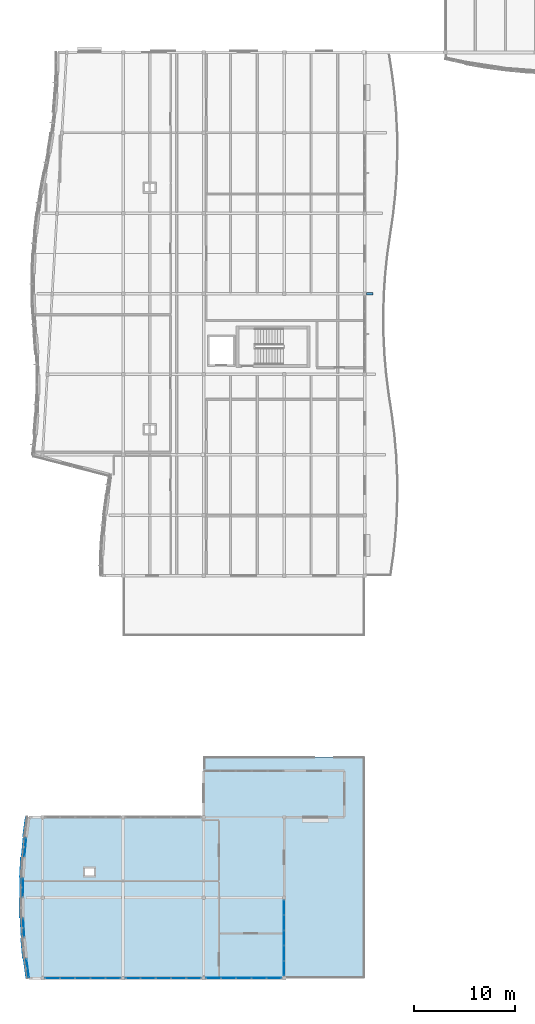
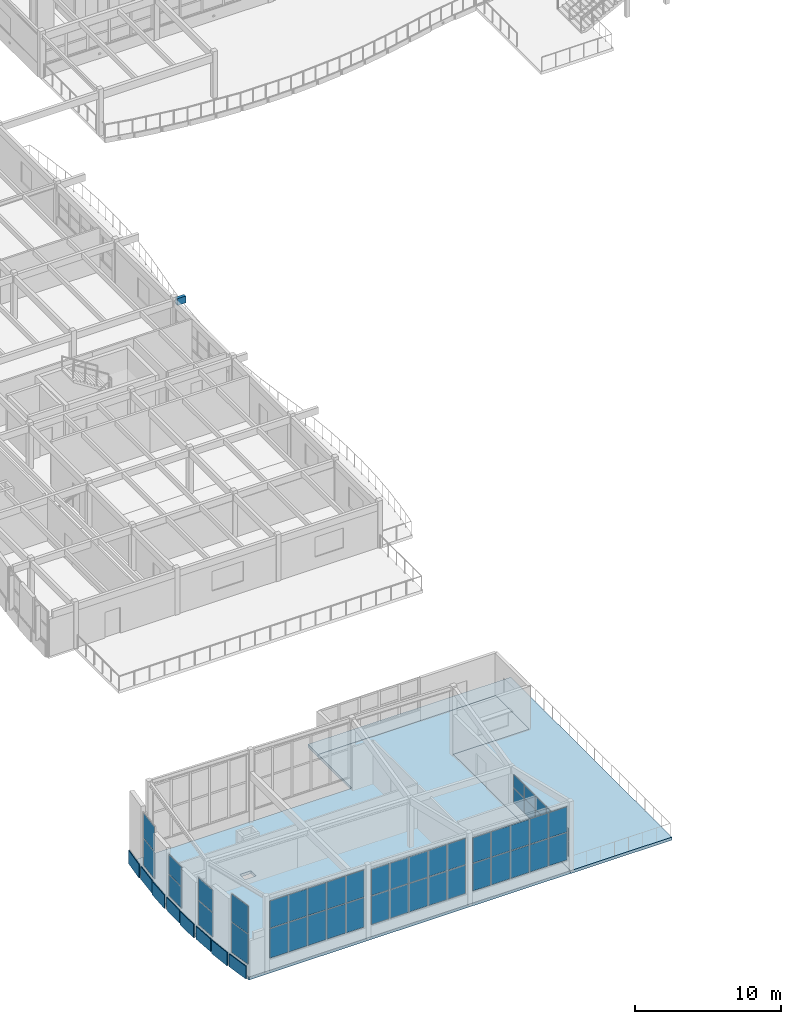
# One storey, part 28 of 63: 56 plates, 2 slabs, 1 beam, 8 elements without a shape of their own.
"""IFC4 building model written with IfcOpenShell, lengths in metres."""

from ifc_helpers import new_model, si_unit, direction, frame, origin, origin_2d, place, context, subcontext, project, spatial, polyline, rectangle, outline, extrude, material, layer, layer_set, material_profile, profile_set, type_object, element, aggregate, save


model = new_model("IFC4")

# Units and contexts
model_context = context("Model", 3, precision=1e-05, world=origin(), true_north=direction((0.0, 1.0)))
body_context = subcontext(model_context, "Body", "Model", "MODEL_VIEW")
ifc_project = project(units=[si_unit("LENGTHUNIT", "METRE"), si_unit("AREAUNIT", "SQUARE_METRE"), si_unit("VOLUMEUNIT", "CUBIC_METRE"), si_unit("PLANEANGLEUNIT", "RADIAN"), si_unit("MASSUNIT", "GRAM", prefix="KILO")], contexts=[model_context])

# Site, building, storey
site_placement = place(None, origin())
site = spatial("IfcSite", under=ifc_project, at=site_placement, CompositionType="ELEMENT")
building_placement = place(site_placement, origin())
building = spatial("IfcBuilding", under=site, at=building_placement, Name="Tonlespit Floodbar School", CompositionType="ELEMENT")
storey_placement = place(building_placement, frame((0.0, 0.0, 8.39990234375)))
storey = spatial("IfcBuildingStorey", under=building, at=storey_placement, Name="L02", CompositionType="ELEMENT", Elevation=8.39990234375)

# Beam
ifc_material_1 = material(Name="Glulam GL28h", Category="wood")
ifc_material_profile = material_profile(ifc_material_1, rectangle(XDim=0.239990234375, YDim=0.56005859375, at=origin_2d()), Name="GL 240x560")
ifc_profile_set = profile_set([ifc_material_profile], Name="Glulam GL28h")
beam_type = type_object("IfcBeamType", Name="Beam_GL_240x560", PredefinedType="BEAM", material=ifc_profile_set)
beam_placement = place(storey_placement, frame((36.179931640625, 72.0, 3.3759765625), z_axis=(1.0, 0.0, 0.0), x_axis=(0.0, 1.0, 0.0)))
element("IfcBeam", 1, at=beam_placement, inside=storey, type_object=beam_type, Name="L02 V2 court gallery cantilever rib", PredefinedType="BEAM", context=body_context, shape_type="SweptSolid", body=[
    extrude(rectangle(XDim=0.239990234375, YDim=0.56005859375, at=origin_2d()), origin(), (0.0, 0.0, 1.0), 0.6806640625),
])

# Curtain wall, plates
ifc_material_2 = material(Name="Anodised Aluminium", Category="aluminium")
ifc_layer_1 = layer(ifc_material_2, 0.159912109375)
ifc_layer_set_1 = layer_set([ifc_layer_1], Name="Anodised Aluminium")
curtain_wall_type_1 = type_object("IfcCurtainWallType", Name="CurtainWall_1900x4050", PredefinedType="NOTDEFINED", material=ifc_layer_set_1)
curtain_wall_1_placement = place(storey_placement, origin())
curtain_wall_1 = element("IfcCurtainWall", 2, at=curtain_wall_1_placement, inside=storey, type_object=curtain_wall_type_1, Name="L02 unitised curtain wall 0529", PredefinedType="NOTDEFINED")
ifc_material_3 = material(Name="Laminated Low-E Glass", Category="glass")
ifc_layer_2 = layer(ifc_material_3, 0.028076171875)
ifc_layer_set_2 = layer_set([ifc_layer_2], Name="Laminated Low-E Glass")
plate_type_1 = type_object("IfcPlateType", Name="CW_Panel_Glaz_28", PredefinedType="CURTAIN_PANEL", material=ifc_layer_set_2)
plate_1_placement = place(storey_placement, frame((2.127197265625, 9.0, 1.01513671875), z_axis=(0.0, 0.0, 1.0), x_axis=(-0.057710137129, 0.998333381227, 0.0)))
plate_1 = element("IfcPlate", 3, at=plate_1_placement, type_object=plate_type_1, Name="CW-86 panel 1.1", PredefinedType="CURTAIN_PANEL", context=body_context, shape_type="SweptSolid", body=[
    extrude(rectangle(XDim=1.79345703125, YDim=0.028076171875, at=origin_2d()), origin(), (0.0, 0.0, 1.0), 2.000732421875),
])
plate_2_placement = place(storey_placement, frame((2.127197265625, 9.0, 3.080810546875), z_axis=(0.0, 0.0, 1.0), x_axis=(-0.057710137129, 0.998333381227, 0.0)))
plate_2 = element("IfcPlate", 4, at=plate_2_placement, type_object=plate_type_1, Name="CW-86 panel 1.2", PredefinedType="CURTAIN_PANEL", context=body_context, shape_type="SweptSolid", body=[
    extrude(rectangle(XDim=1.79345703125, YDim=0.028076171875, at=origin_2d()), origin(), (0.0, 0.0, 1.0), 1.83935546875),
])
aggregate(curtain_wall_1, [plate_1, plate_2])

ifc_layer_3 = layer(ifc_material_2, 0.159912109375)
ifc_layer_set_3 = layer_set([ifc_layer_3], Name="Anodised Aluminium")
curtain_wall_type_2 = type_object("IfcCurtainWallType", Name="CurtainWall_7550x4700", PredefinedType="NOTDEFINED", material=ifc_layer_set_3)
curtain_wall_2_placement = place(storey_placement, origin())
curtain_wall_2 = element("IfcCurtainWall", 5, at=curtain_wall_2_placement, inside=storey, type_object=curtain_wall_type_2, Name="L02 unitised curtain wall 0533", PredefinedType="NOTDEFINED")
plate_3_placement = place(storey_placement, frame((19.0078125, 4.0, 1.01513671875), z_axis=(0.0, 0.0, 1.0), x_axis=(-1.0, 0.0, 0.0)))
plate_3 = element("IfcPlate", 6, at=plate_3_placement, type_object=plate_type_1, Name="CW-89 panel 1.1", PredefinedType="CURTAIN_PANEL", context=body_context, shape_type="SweptSolid", body=[
    extrude(rectangle(XDim=1.41455078125, YDim=0.028076171875, at=origin_2d()), origin(), (0.0, 0.0, 1.0), 2.357421875),
])
plate_4_placement = place(storey_placement, frame((19.0078125, 4.0, 3.4375), z_axis=(0.0, 0.0, 1.0), x_axis=(-1.0, 0.0, 0.0)))
plate_4 = element("IfcPlate", 7, at=plate_4_placement, type_object=plate_type_1, Name="CW-89 panel 1.2", PredefinedType="CURTAIN_PANEL", context=body_context, shape_type="SweptSolid", body=[
    extrude(rectangle(XDim=1.41455078125, YDim=0.028076171875, at=origin_2d()), origin(), (0.0, 0.0, 1.0), 2.16845703125),
])
plate_5_placement = place(storey_placement, frame((17.511962890625, 4.0, 1.01513671875), z_axis=(0.0, 0.0, 1.0), x_axis=(-1.0, 0.0, 0.0)))
plate_5 = element("IfcPlate", 8, at=plate_5_placement, type_object=plate_type_1, Name="CW-89 panel 2.1", PredefinedType="CURTAIN_PANEL", context=body_context, shape_type="SweptSolid", body=[
    extrude(rectangle(XDim=1.447021484375, YDim=0.028076171875, at=origin_2d()), origin(), (0.0, 0.0, 1.0), 2.357421875),
])
plate_6_placement = place(storey_placement, frame((17.511962890625, 4.0, 3.4375), z_axis=(0.0, 0.0, 1.0), x_axis=(-1.0, 0.0, 0.0)))
plate_6 = element("IfcPlate", 9, at=plate_6_placement, type_object=plate_type_1, Name="CW-89 panel 2.2", PredefinedType="CURTAIN_PANEL", context=body_context, shape_type="SweptSolid", body=[
    extrude(rectangle(XDim=1.447021484375, YDim=0.028076171875, at=origin_2d()), origin(), (0.0, 0.0, 1.0), 2.16845703125),
])
plate_7_placement = place(storey_placement, frame((16.0, 4.0, 1.01513671875), z_axis=(0.0, 0.0, 1.0), x_axis=(-1.0, 0.0, 0.0)))
plate_7 = element("IfcPlate", 10, at=plate_7_placement, type_object=plate_type_1, Name="CW-89 panel 3.1", PredefinedType="CURTAIN_PANEL", context=body_context, shape_type="SweptSolid", body=[
    extrude(rectangle(XDim=1.447021484375, YDim=0.028076171875, at=origin_2d()), origin(), (0.0, 0.0, 1.0), 2.357421875),
])
plate_8_placement = place(storey_placement, frame((16.0, 4.0, 3.4375), z_axis=(0.0, 0.0, 1.0), x_axis=(-1.0, 0.0, 0.0)))
plate_8 = element("IfcPlate", 11, at=plate_8_placement, type_object=plate_type_1, Name="CW-89 panel 3.2", PredefinedType="CURTAIN_PANEL", context=body_context, shape_type="SweptSolid", body=[
    extrude(rectangle(XDim=1.447021484375, YDim=0.028076171875, at=origin_2d()), origin(), (0.0, 0.0, 1.0), 2.16845703125),
])
plate_9_placement = place(storey_placement, frame((14.488037109375, 4.0, 1.01513671875), z_axis=(0.0, 0.0, 1.0), x_axis=(-1.0, 0.0, 0.0)))
plate_9 = element("IfcPlate", 12, at=plate_9_placement, type_object=plate_type_1, Name="CW-89 panel 4.1", PredefinedType="CURTAIN_PANEL", context=body_context, shape_type="SweptSolid", body=[
    extrude(rectangle(XDim=1.447021484375, YDim=0.028076171875, at=origin_2d()), origin(), (0.0, 0.0, 1.0), 2.357421875),
])
plate_10_placement = place(storey_placement, frame((14.488037109375, 4.0, 3.4375), z_axis=(0.0, 0.0, 1.0), x_axis=(-1.0, 0.0, 0.0)))
plate_10 = element("IfcPlate", 13, at=plate_10_placement, type_object=plate_type_1, Name="CW-89 panel 4.2", PredefinedType="CURTAIN_PANEL", context=body_context, shape_type="SweptSolid", body=[
    extrude(rectangle(XDim=1.447021484375, YDim=0.028076171875, at=origin_2d()), origin(), (0.0, 0.0, 1.0), 2.16845703125),
])
plate_11_placement = place(storey_placement, frame((12.9921875, 4.0, 1.01513671875), z_axis=(0.0, 0.0, 1.0), x_axis=(-1.0, 0.0, 0.0)))
plate_11 = element("IfcPlate", 14, at=plate_11_placement, type_object=plate_type_1, Name="CW-89 panel 5.1", PredefinedType="CURTAIN_PANEL", context=body_context, shape_type="SweptSolid", body=[
    extrude(rectangle(XDim=1.41455078125, YDim=0.028076171875, at=origin_2d()), origin(), (0.0, 0.0, 1.0), 2.357421875),
])
plate_12_placement = place(storey_placement, frame((12.9921875, 4.0, 3.4375), z_axis=(0.0, 0.0, 1.0), x_axis=(-1.0, 0.0, 0.0)))
plate_12 = element("IfcPlate", 15, at=plate_12_placement, type_object=plate_type_1, Name="CW-89 panel 5.2", PredefinedType="CURTAIN_PANEL", context=body_context, shape_type="SweptSolid", body=[
    extrude(rectangle(XDim=1.41455078125, YDim=0.028076171875, at=origin_2d()), origin(), (0.0, 0.0, 1.0), 2.16845703125),
])
aggregate(curtain_wall_2, [plate_3, plate_4, plate_5, plate_6, plate_7, plate_8, plate_9, plate_10, plate_11, plate_12])

ifc_layer_4 = layer(ifc_material_2, 0.159912109375)
ifc_layer_set_4 = layer_set([ifc_layer_4], Name="Anodised Aluminium")
curtain_wall_type_3 = type_object("IfcCurtainWallType", Name="CurtainWall_1900x3550", PredefinedType="NOTDEFINED", material=ifc_layer_set_4)
curtain_wall_3_placement = place(storey_placement, origin())
curtain_wall_3 = element("IfcCurtainWall", 16, at=curtain_wall_3_placement, inside=storey, type_object=curtain_wall_type_3, Name="L02 unitised curtain wall 0530", PredefinedType="NOTDEFINED")
ifc_layer_5 = layer(ifc_material_3, 0.031982421875)
ifc_layer_set_5 = layer_set([ifc_layer_5], Name="Laminated Low-E Glass")
plate_type_2 = type_object("IfcPlateType", Name="CW_Panel_Glaz_32", PredefinedType="CURTAIN_PANEL", material=ifc_layer_set_5)
plate_13_placement = place(storey_placement, frame((2.050048828125, 13.0, 1.01513671875), z_axis=(0.0, 0.0, 1.0), x_axis=(0.019215201653, 0.999815370969, 0.0)))
plate_13 = element("IfcPlate", 17, at=plate_13_placement, type_object=plate_type_2, Name="CW-14 panel 1.1", PredefinedType="CURTAIN_PANEL", context=body_context, shape_type="SweptSolid", body=[
    extrude(rectangle(XDim=1.790283203125, YDim=0.031982421875, at=origin_2d()), origin(), (0.0, 0.0, 1.0), 1.750244140625),
])
plate_14_placement = place(storey_placement, frame((2.050048828125, 13.0, 2.83056640625), z_axis=(0.0, 0.0, 1.0), x_axis=(0.019215201653, 0.999815370969, 0.0)))
plate_14 = element("IfcPlate", 18, at=plate_14_placement, type_object=plate_type_2, Name="CW-14 panel 1.2", PredefinedType="CURTAIN_PANEL", context=body_context, shape_type="SweptSolid", body=[
    extrude(rectangle(XDim=1.790283203125, YDim=0.031982421875, at=origin_2d()), origin(), (0.0, 0.0, 1.0), 1.608154296875),
])
aggregate(curtain_wall_3, [plate_13, plate_14])

ifc_layer_6 = layer(ifc_material_2, 0.159912109375)
ifc_layer_set_6 = layer_set([ifc_layer_6], Name="Anodised Aluminium")
curtain_wall_type_4 = type_object("IfcCurtainWallType", Name="CurtainWall_7550x4900", PredefinedType="NOTDEFINED", material=ifc_layer_set_6)
curtain_wall_4_placement = place(storey_placement, origin())
curtain_wall_4 = element("IfcCurtainWall", 19, at=curtain_wall_4_placement, inside=storey, type_object=curtain_wall_type_4, Name="L02 unitised curtain wall 0534", PredefinedType="NOTDEFINED")
plate_15_placement = place(storey_placement, frame((11.0078125, 4.0, 1.01513671875), z_axis=(0.0, 0.0, 1.0), x_axis=(-1.0, 0.0, 0.0)))
plate_15 = element("IfcPlate", 20, at=plate_15_placement, type_object=plate_type_2, Name="CW-90 panel 1.1", PredefinedType="CURTAIN_PANEL", context=body_context, shape_type="SweptSolid", body=[
    extrude(rectangle(XDim=1.41455078125, YDim=0.031982421875, at=origin_2d()), origin(), (0.0, 0.0, 1.0), 2.4443359375),
])
plate_16_placement = place(storey_placement, frame((11.0078125, 4.0, 3.5244140625), z_axis=(0.0, 0.0, 1.0), x_axis=(-1.0, 0.0, 0.0)))
plate_16 = element("IfcPlate", 21, at=plate_16_placement, type_object=plate_type_2, Name="CW-90 panel 1.2", PredefinedType="CURTAIN_PANEL", context=body_context, shape_type="SweptSolid", body=[
    extrude(rectangle(XDim=1.41455078125, YDim=0.031982421875, at=origin_2d()), origin(), (0.0, 0.0, 1.0), 2.248779296875),
])
plate_17_placement = place(storey_placement, frame((9.511962890625, 4.0, 1.01513671875), z_axis=(0.0, 0.0, 1.0), x_axis=(-1.0, 0.0, 0.0)))
plate_17 = element("IfcPlate", 22, at=plate_17_placement, type_object=plate_type_2, Name="CW-90 panel 2.1", PredefinedType="CURTAIN_PANEL", context=body_context, shape_type="SweptSolid", body=[
    extrude(rectangle(XDim=1.447021484375, YDim=0.031982421875, at=origin_2d()), origin(), (0.0, 0.0, 1.0), 2.4443359375),
])
plate_18_placement = place(storey_placement, frame((9.511962890625, 4.0, 3.5244140625), z_axis=(0.0, 0.0, 1.0), x_axis=(-1.0, 0.0, 0.0)))
plate_18 = element("IfcPlate", 23, at=plate_18_placement, type_object=plate_type_2, Name="CW-90 panel 2.2", PredefinedType="CURTAIN_PANEL", context=body_context, shape_type="SweptSolid", body=[
    extrude(rectangle(XDim=1.447021484375, YDim=0.031982421875, at=origin_2d()), origin(), (0.0, 0.0, 1.0), 2.248779296875),
])
plate_19_placement = place(storey_placement, frame((8.0, 4.0, 1.01513671875), z_axis=(0.0, 0.0, 1.0), x_axis=(-1.0, 0.0, 0.0)))
plate_19 = element("IfcPlate", 24, at=plate_19_placement, type_object=plate_type_2, Name="CW-90 panel 3.1", PredefinedType="CURTAIN_PANEL", context=body_context, shape_type="SweptSolid", body=[
    extrude(rectangle(XDim=1.447021484375, YDim=0.031982421875, at=origin_2d()), origin(), (0.0, 0.0, 1.0), 2.4443359375),
])
plate_20_placement = place(storey_placement, frame((8.0, 4.0, 3.5244140625), z_axis=(0.0, 0.0, 1.0), x_axis=(-1.0, 0.0, 0.0)))
plate_20 = element("IfcPlate", 25, at=plate_20_placement, type_object=plate_type_2, Name="CW-90 panel 3.2", PredefinedType="CURTAIN_PANEL", context=body_context, shape_type="SweptSolid", body=[
    extrude(rectangle(XDim=1.447021484375, YDim=0.031982421875, at=origin_2d()), origin(), (0.0, 0.0, 1.0), 2.248779296875),
])
plate_21_placement = place(storey_placement, frame((6.488037109375, 4.0, 1.01513671875), z_axis=(0.0, 0.0, 1.0), x_axis=(-1.0, 0.0, 0.0)))
plate_21 = element("IfcPlate", 26, at=plate_21_placement, type_object=plate_type_2, Name="CW-90 panel 4.1", PredefinedType="CURTAIN_PANEL", context=body_context, shape_type="SweptSolid", body=[
    extrude(rectangle(XDim=1.447021484375, YDim=0.031982421875, at=origin_2d()), origin(), (0.0, 0.0, 1.0), 2.4443359375),
])
plate_22_placement = place(storey_placement, frame((6.488037109375, 4.0, 3.5244140625), z_axis=(0.0, 0.0, 1.0), x_axis=(-1.0, 0.0, 0.0)))
plate_22 = element("IfcPlate", 27, at=plate_22_placement, type_object=plate_type_2, Name="CW-90 panel 4.2", PredefinedType="CURTAIN_PANEL", context=body_context, shape_type="SweptSolid", body=[
    extrude(rectangle(XDim=1.447021484375, YDim=0.031982421875, at=origin_2d()), origin(), (0.0, 0.0, 1.0), 2.248779296875),
])
plate_23_placement = place(storey_placement, frame((4.9921875, 4.0, 1.01513671875), z_axis=(0.0, 0.0, 1.0), x_axis=(-1.0, 0.0, 0.0)))
plate_23 = element("IfcPlate", 28, at=plate_23_placement, type_object=plate_type_2, Name="CW-90 panel 5.1", PredefinedType="CURTAIN_PANEL", context=body_context, shape_type="SweptSolid", body=[
    extrude(rectangle(XDim=1.41455078125, YDim=0.031982421875, at=origin_2d()), origin(), (0.0, 0.0, 1.0), 2.4443359375),
])
plate_24_placement = place(storey_placement, frame((4.9921875, 4.0, 3.5244140625), z_axis=(0.0, 0.0, 1.0), x_axis=(-1.0, 0.0, 0.0)))
plate_24 = element("IfcPlate", 29, at=plate_24_placement, type_object=plate_type_2, Name="CW-90 panel 5.2", PredefinedType="CURTAIN_PANEL", context=body_context, shape_type="SweptSolid", body=[
    extrude(rectangle(XDim=1.41455078125, YDim=0.031982421875, at=origin_2d()), origin(), (0.0, 0.0, 1.0), 2.248779296875),
])
aggregate(curtain_wall_4, [plate_15, plate_16, plate_17, plate_18, plate_19, plate_20, plate_21, plate_22, plate_23, plate_24])

ifc_layer_7 = layer(ifc_material_2, 0.159912109375)
ifc_layer_set_7 = layer_set([ifc_layer_7], Name="Anodised Aluminium")
curtain_wall_type_5 = type_object("IfcCurtainWallType", Name="CurtainWall_7550x2450", PredefinedType="NOTDEFINED", material=ifc_layer_set_7)
curtain_wall_5_placement = place(storey_placement, origin())
curtain_wall_5 = element("IfcCurtainWall", 30, at=curtain_wall_5_placement, inside=storey, type_object=curtain_wall_type_5, Name="L02 unitised curtain wall 0538", PredefinedType="NOTDEFINED")
plate_25_placement = place(storey_placement, frame((28.0, 11.0078125, 1.01513671875), z_axis=(0.0, 0.0, 1.0), x_axis=(0.0, -1.0, 0.0)))
plate_25 = element("IfcPlate", 31, at=plate_25_placement, type_object=plate_type_2, Name="CW-93 panel 1.1", PredefinedType="CURTAIN_PANEL", context=body_context, shape_type="SweptSolid", body=[
    extrude(rectangle(XDim=1.41455078125, YDim=0.031982421875, at=origin_2d()), origin(), (0.0, 0.0, 1.0), 1.18359375),
])
plate_26_placement = place(storey_placement, frame((28.0, 11.0078125, 2.263671875), z_axis=(0.0, 0.0, 1.0), x_axis=(0.0, -1.0, 0.0)))
plate_26 = element("IfcPlate", 32, at=plate_26_placement, type_object=plate_type_2, Name="CW-93 panel 1.2", PredefinedType="CURTAIN_PANEL", context=body_context, shape_type="SweptSolid", body=[
    extrude(rectangle(XDim=1.41455078125, YDim=0.031982421875, at=origin_2d()), origin(), (0.0, 0.0, 1.0), 1.085205078125),
])
plate_27_placement = place(storey_placement, frame((28.0, 9.511962890625, 1.01513671875), z_axis=(0.0, 0.0, 1.0), x_axis=(0.0, -1.0, 0.0)))
plate_27 = element("IfcPlate", 33, at=plate_27_placement, type_object=plate_type_2, Name="CW-93 panel 2.1", PredefinedType="CURTAIN_PANEL", context=body_context, shape_type="SweptSolid", body=[
    extrude(rectangle(XDim=1.447021484375, YDim=0.031982421875, at=origin_2d()), origin(), (0.0, 0.0, 1.0), 1.18359375),
])
plate_28_placement = place(storey_placement, frame((28.0, 9.511962890625, 2.263671875), z_axis=(0.0, 0.0, 1.0), x_axis=(0.0, -1.0, 0.0)))
plate_28 = element("IfcPlate", 34, at=plate_28_placement, type_object=plate_type_2, Name="CW-93 panel 2.2", PredefinedType="CURTAIN_PANEL", context=body_context, shape_type="SweptSolid", body=[
    extrude(rectangle(XDim=1.447021484375, YDim=0.031982421875, at=origin_2d()), origin(), (0.0, 0.0, 1.0), 1.085205078125),
])
plate_29_placement = place(storey_placement, frame((28.0, 8.0, 1.01513671875), z_axis=(0.0, 0.0, 1.0), x_axis=(0.0, -1.0, 0.0)))
plate_29 = element("IfcPlate", 35, at=plate_29_placement, type_object=plate_type_2, Name="CW-93 panel 3.1", PredefinedType="CURTAIN_PANEL", context=body_context, shape_type="SweptSolid", body=[
    extrude(rectangle(XDim=1.447021484375, YDim=0.031982421875, at=origin_2d()), origin(), (0.0, 0.0, 1.0), 1.18359375),
])
plate_30_placement = place(storey_placement, frame((28.0, 8.0, 2.263671875), z_axis=(0.0, 0.0, 1.0), x_axis=(0.0, -1.0, 0.0)))
plate_30 = element("IfcPlate", 36, at=plate_30_placement, type_object=plate_type_2, Name="CW-93 panel 3.2", PredefinedType="CURTAIN_PANEL", context=body_context, shape_type="SweptSolid", body=[
    extrude(rectangle(XDim=1.447021484375, YDim=0.031982421875, at=origin_2d()), origin(), (0.0, 0.0, 1.0), 1.085205078125),
])
plate_31_placement = place(storey_placement, frame((28.0, 6.488037109375, 1.01513671875), z_axis=(0.0, 0.0, 1.0), x_axis=(0.0, -1.0, 0.0)))
plate_31 = element("IfcPlate", 37, at=plate_31_placement, type_object=plate_type_2, Name="CW-93 panel 4.1", PredefinedType="CURTAIN_PANEL", context=body_context, shape_type="SweptSolid", body=[
    extrude(rectangle(XDim=1.447021484375, YDim=0.031982421875, at=origin_2d()), origin(), (0.0, 0.0, 1.0), 1.18359375),
])
plate_32_placement = place(storey_placement, frame((28.0, 6.488037109375, 2.263671875), z_axis=(0.0, 0.0, 1.0), x_axis=(0.0, -1.0, 0.0)))
plate_32 = element("IfcPlate", 38, at=plate_32_placement, type_object=plate_type_2, Name="CW-93 panel 4.2", PredefinedType="CURTAIN_PANEL", context=body_context, shape_type="SweptSolid", body=[
    extrude(rectangle(XDim=1.447021484375, YDim=0.031982421875, at=origin_2d()), origin(), (0.0, 0.0, 1.0), 1.085205078125),
])
plate_33_placement = place(storey_placement, frame((28.0, 4.9921875, 1.01513671875), z_axis=(0.0, 0.0, 1.0), x_axis=(0.0, -1.0, 0.0)))
plate_33 = element("IfcPlate", 39, at=plate_33_placement, type_object=plate_type_2, Name="CW-93 panel 5.1", PredefinedType="CURTAIN_PANEL", context=body_context, shape_type="SweptSolid", body=[
    extrude(rectangle(XDim=1.41455078125, YDim=0.031982421875, at=origin_2d()), origin(), (0.0, 0.0, 1.0), 1.18359375),
])
plate_34_placement = place(storey_placement, frame((28.0, 4.9921875, 2.263671875), z_axis=(0.0, 0.0, 1.0), x_axis=(0.0, -1.0, 0.0)))
plate_34 = element("IfcPlate", 40, at=plate_34_placement, type_object=plate_type_2, Name="CW-93 panel 5.2", PredefinedType="CURTAIN_PANEL", context=body_context, shape_type="SweptSolid", body=[
    extrude(rectangle(XDim=1.41455078125, YDim=0.031982421875, at=origin_2d()), origin(), (0.0, 0.0, 1.0), 1.085205078125),
])
aggregate(curtain_wall_5, [plate_25, plate_26, plate_27, plate_28, plate_29, plate_30, plate_31, plate_32, plate_33, plate_34])

ifc_layer_8 = layer(ifc_material_2, 0.159912109375)
ifc_layer_set_8 = layer_set([ifc_layer_8], Name="Anodised Aluminium")
curtain_wall_type_6 = type_object("IfcCurtainWallType", Name="CurtainWall_1950x4450", PredefinedType="NOTDEFINED", material=ifc_layer_set_8)
curtain_wall_6_placement = place(storey_placement, origin())
curtain_wall_6 = element("IfcCurtainWall", 41, at=curtain_wall_6_placement, inside=storey, type_object=curtain_wall_type_6, Name="L02 unitised curtain wall 0531", PredefinedType="NOTDEFINED")
ifc_layer_9 = layer(ifc_material_3, 0.035888671875)
ifc_layer_set_9 = layer_set([ifc_layer_9], Name="Laminated Low-E Glass")
plate_type_3 = type_object("IfcPlateType", Name="CW_Panel_Glaz_36", PredefinedType="CURTAIN_PANEL", material=ifc_layer_set_9)
plate_35_placement = place(storey_placement, frame((2.281494140625, 17.0, 1.01513671875), z_axis=(0.0, 0.0, 1.0), x_axis=(0.096198303585, 0.995362188546, 0.0)))
plate_35 = element("IfcPlate", 42, at=plate_35_placement, type_object=plate_type_3, Name="CW-87 panel 1.1", PredefinedType="CURTAIN_PANEL", context=body_context, shape_type="SweptSolid", body=[
    extrude(rectangle(XDim=1.79931640625, YDim=0.035888671875, at=origin_2d()), origin(), (0.0, 0.0, 1.0), 2.225830078125),
])
plate_36_placement = place(storey_placement, frame((2.281494140625, 17.0, 3.30615234375), z_axis=(0.0, 0.0, 1.0), x_axis=(0.096198303585, 0.995362188546, 0.0)))
plate_36 = element("IfcPlate", 43, at=plate_36_placement, type_object=plate_type_3, Name="CW-87 panel 1.2", PredefinedType="CURTAIN_PANEL", context=body_context, shape_type="SweptSolid", body=[
    extrude(rectangle(XDim=1.79931640625, YDim=0.035888671875, at=origin_2d()), origin(), (0.0, 0.0, 1.0), 2.047119140625),
])
aggregate(curtain_wall_6, [plate_35, plate_36])

ifc_layer_10 = layer(ifc_material_2, 0.159912109375)
ifc_layer_set_10 = layer_set([ifc_layer_10], Name="Anodised Aluminium")
curtain_wall_type_7 = type_object("IfcCurtainWallType", Name="CurtainWall_1950x5000", PredefinedType="NOTDEFINED", material=ifc_layer_set_10)
curtain_wall_7_placement = place(storey_placement, origin())
curtain_wall_7 = element("IfcCurtainWall", 44, at=curtain_wall_7_placement, inside=storey, type_object=curtain_wall_type_7, Name="L02 unitised curtain wall 0528", PredefinedType="NOTDEFINED")
ifc_layer_11 = layer(ifc_material_3, 0.0419921875)
ifc_layer_set_11 = layer_set([ifc_layer_11], Name="Laminated Low-E Glass")
plate_type_4 = type_object("IfcPlateType", Name="CW_Panel_Glaz_42", PredefinedType="CURTAIN_PANEL", material=ifc_layer_set_11)
plate_37_placement = place(storey_placement, frame((2.51416015625, 5.0, 1.01513671875), z_axis=(0.0, 0.0, 1.0), x_axis=(-0.134643564765, 0.990894096494, 0.0)))
plate_37 = element("IfcPlate", 45, at=plate_37_placement, type_object=plate_type_4, Name="CW-85 panel 1.1", PredefinedType="CURTAIN_PANEL", context=body_context, shape_type="SweptSolid", body=[
    extrude(rectangle(XDim=1.808349609375, YDim=0.0419921875, at=origin_2d()), origin(), (0.0, 0.0, 1.0), 2.4990234375),
])
plate_38_placement = place(storey_placement, frame((2.51416015625, 5.0, 3.5791015625), z_axis=(0.0, 0.0, 1.0), x_axis=(-0.134643564765, 0.990894096494, 0.0)))
plate_38 = element("IfcPlate", 46, at=plate_38_placement, type_object=plate_type_4, Name="CW-85 panel 1.2", PredefinedType="CURTAIN_PANEL", context=body_context, shape_type="SweptSolid", body=[
    extrude(rectangle(XDim=1.808349609375, YDim=0.0419921875, at=origin_2d()), origin(), (0.0, 0.0, 1.0), 2.29931640625),
])
aggregate(curtain_wall_7, [plate_37, plate_38])

ifc_layer_12 = layer(ifc_material_2, 0.159912109375)
ifc_layer_set_12 = layer_set([ifc_layer_12], Name="Anodised Aluminium")
curtain_wall_type_8 = type_object("IfcCurtainWallType", Name="CurtainWall_7550x4550", PredefinedType="NOTDEFINED", material=ifc_layer_set_12)
curtain_wall_8_placement = place(storey_placement, origin())
curtain_wall_8 = element("IfcCurtainWall", 47, at=curtain_wall_8_placement, inside=storey, type_object=curtain_wall_type_8, Name="L02 unitised curtain wall 0532", PredefinedType="NOTDEFINED")
plate_39_placement = place(storey_placement, frame((27.0078125, 4.0, 1.01513671875), z_axis=(0.0, 0.0, 1.0), x_axis=(-1.0, 0.0, 0.0)))
plate_39 = element("IfcPlate", 48, at=plate_39_placement, type_object=plate_type_4, Name="CW-88 panel 1.1", PredefinedType="CURTAIN_PANEL", context=body_context, shape_type="SweptSolid", body=[
    extrude(rectangle(XDim=1.41455078125, YDim=0.0419921875, at=origin_2d()), origin(), (0.0, 0.0, 1.0), 2.2705078125),
])
plate_40_placement = place(storey_placement, frame((27.0078125, 4.0, 3.3505859375), z_axis=(0.0, 0.0, 1.0), x_axis=(-1.0, 0.0, 0.0)))
plate_40 = element("IfcPlate", 49, at=plate_40_placement, type_object=plate_type_4, Name="CW-88 panel 1.2", PredefinedType="CURTAIN_PANEL", context=body_context, shape_type="SweptSolid", body=[
    extrude(rectangle(XDim=1.41455078125, YDim=0.0419921875, at=origin_2d()), origin(), (0.0, 0.0, 1.0), 2.088134765625),
])
plate_41_placement = place(storey_placement, frame((25.511962890625, 4.0, 1.01513671875), z_axis=(0.0, 0.0, 1.0), x_axis=(-1.0, 0.0, 0.0)))
plate_41 = element("IfcPlate", 50, at=plate_41_placement, type_object=plate_type_4, Name="CW-88 panel 2.1", PredefinedType="CURTAIN_PANEL", context=body_context, shape_type="SweptSolid", body=[
    extrude(rectangle(XDim=1.447021484375, YDim=0.0419921875, at=origin_2d()), origin(), (0.0, 0.0, 1.0), 2.2705078125),
])
plate_42_placement = place(storey_placement, frame((25.511962890625, 4.0, 3.3505859375), z_axis=(0.0, 0.0, 1.0), x_axis=(-1.0, 0.0, 0.0)))
plate_42 = element("IfcPlate", 51, at=plate_42_placement, type_object=plate_type_4, Name="CW-88 panel 2.2", PredefinedType="CURTAIN_PANEL", context=body_context, shape_type="SweptSolid", body=[
    extrude(rectangle(XDim=1.447021484375, YDim=0.0419921875, at=origin_2d()), origin(), (0.0, 0.0, 1.0), 2.088134765625),
])
plate_43_placement = place(storey_placement, frame((24.0, 4.0, 1.01513671875), z_axis=(0.0, 0.0, 1.0), x_axis=(-1.0, 0.0, 0.0)))
plate_43 = element("IfcPlate", 52, at=plate_43_placement, type_object=plate_type_4, Name="CW-88 panel 3.1", PredefinedType="CURTAIN_PANEL", context=body_context, shape_type="SweptSolid", body=[
    extrude(rectangle(XDim=1.447021484375, YDim=0.0419921875, at=origin_2d()), origin(), (0.0, 0.0, 1.0), 2.2705078125),
])
plate_44_placement = place(storey_placement, frame((24.0, 4.0, 3.3505859375), z_axis=(0.0, 0.0, 1.0), x_axis=(-1.0, 0.0, 0.0)))
plate_44 = element("IfcPlate", 53, at=plate_44_placement, type_object=plate_type_4, Name="CW-88 panel 3.2", PredefinedType="CURTAIN_PANEL", context=body_context, shape_type="SweptSolid", body=[
    extrude(rectangle(XDim=1.447021484375, YDim=0.0419921875, at=origin_2d()), origin(), (0.0, 0.0, 1.0), 2.088134765625),
])
plate_45_placement = place(storey_placement, frame((22.488037109375, 4.0, 1.01513671875), z_axis=(0.0, 0.0, 1.0), x_axis=(-1.0, 0.0, 0.0)))
plate_45 = element("IfcPlate", 54, at=plate_45_placement, type_object=plate_type_4, Name="CW-88 panel 4.1", PredefinedType="CURTAIN_PANEL", context=body_context, shape_type="SweptSolid", body=[
    extrude(rectangle(XDim=1.447021484375, YDim=0.0419921875, at=origin_2d()), origin(), (0.0, 0.0, 1.0), 2.2705078125),
])
plate_46_placement = place(storey_placement, frame((22.488037109375, 4.0, 3.3505859375), z_axis=(0.0, 0.0, 1.0), x_axis=(-1.0, 0.0, 0.0)))
plate_46 = element("IfcPlate", 55, at=plate_46_placement, type_object=plate_type_4, Name="CW-88 panel 4.2", PredefinedType="CURTAIN_PANEL", context=body_context, shape_type="SweptSolid", body=[
    extrude(rectangle(XDim=1.447021484375, YDim=0.0419921875, at=origin_2d()), origin(), (0.0, 0.0, 1.0), 2.088134765625),
])
plate_47_placement = place(storey_placement, frame((20.9921875, 4.0, 1.01513671875), z_axis=(0.0, 0.0, 1.0), x_axis=(-1.0, 0.0, 0.0)))
plate_47 = element("IfcPlate", 56, at=plate_47_placement, type_object=plate_type_4, Name="CW-88 panel 5.1", PredefinedType="CURTAIN_PANEL", context=body_context, shape_type="SweptSolid", body=[
    extrude(rectangle(XDim=1.41455078125, YDim=0.0419921875, at=origin_2d()), origin(), (0.0, 0.0, 1.0), 2.2705078125),
])
plate_48_placement = place(storey_placement, frame((20.9921875, 4.0, 3.3505859375), z_axis=(0.0, 0.0, 1.0), x_axis=(-1.0, 0.0, 0.0)))
plate_48 = element("IfcPlate", 57, at=plate_48_placement, type_object=plate_type_4, Name="CW-88 panel 5.2", PredefinedType="CURTAIN_PANEL", context=body_context, shape_type="SweptSolid", body=[
    extrude(rectangle(XDim=1.41455078125, YDim=0.0419921875, at=origin_2d()), origin(), (0.0, 0.0, 1.0), 2.088134765625),
])
aggregate(curtain_wall_8, [plate_39, plate_40, plate_41, plate_42, plate_43, plate_44, plate_45, plate_46, plate_47, plate_48])

# Plates
ifc_material_4 = material(Name="White Architectural Aluminium", Category="aluminium")
ifc_layer_13 = layer(ifc_material_4, 0.06494140625)
ifc_layer_set_13 = layer_set([ifc_layer_13], Name="White Architectural Aluminium")
plate_type_5 = type_object("IfcPlateType", Name="FacadeRibbon_White_65", PredefinedType="SHEET", material=ifc_layer_set_13)
plate_49_placement = place(storey_placement, frame((2.333740234375, 4.9755859375, -0.1201171875), z_axis=(0.0, 0.0, 1.0), x_axis=(-0.134662424626, 0.990891533617, 0.0)))
element("IfcPlate", 58, at=plate_49_placement, inside=storey, type_object=plate_type_5, Name="L02 flowing white street spandrel ribbon 0774", PredefinedType="SHEET", context=body_context, shape_type="SweptSolid", body=[
    extrude(rectangle(XDim=1.8583984375, YDim=0.06494140625, at=origin_2d()), origin(), (0.0, 0.0, 1.0), 1.070068359375),
])
plate_50_placement = place(storey_placement, frame((2.040771484375, 6.976806640625, -0.119873046875), z_axis=(0.0, 0.0, 1.0), x_axis=(-0.096153248998, 0.995366541887, 0.0)))
element("IfcPlate", 59, at=plate_50_placement, inside=storey, type_object=plate_type_5, Name="L02 flowing white street spandrel ribbon 0775", PredefinedType="SHEET", context=body_context, shape_type="SweptSolid", body=[
    extrude(rectangle(XDim=1.849365234375, YDim=0.06494140625, at=origin_2d()), origin(), (0.0, 0.0, 1.0), 1.1201171875),
])
plate_51_placement = place(storey_placement, frame((1.945556640625, 8.989501953125, -0.1201171875), z_axis=(0.0, 0.0, 1.0), x_axis=(-0.057703421212, 0.998333769428, 0.0)))
element("IfcPlate", 60, at=plate_51_placement, inside=storey, type_object=plate_type_5, Name="L02 flowing white street spandrel ribbon 0776", PredefinedType="SHEET", context=body_context, shape_type="SweptSolid", body=[
    extrude(rectangle(XDim=1.84326171875, YDim=0.06494140625, at=origin_2d()), origin(), (0.0, 0.0, 1.0), 1.070068359375),
])
plate_52_placement = place(storey_placement, frame((1.80810546875, 10.995361328125, -0.119873046875), z_axis=(0.0, 0.0, 1.0), x_axis=(-0.01924630259, 0.999814772764, 0.0)))
element("IfcPlate", 61, at=plate_52_placement, inside=storey, type_object=plate_type_5, Name="L02 flowing white street spandrel ribbon 0777", PredefinedType="SHEET", context=body_context, shape_type="SweptSolid", body=[
    extrude(rectangle(XDim=1.84033203125, YDim=0.06494140625, at=origin_2d()), origin(), (0.0, 0.0, 1.0), 1.1201171875),
])
plate_53_placement = place(storey_placement, frame((1.8681640625, 13.00341796875, -0.1201171875), z_axis=(0.0, 0.0, 1.0), x_axis=(0.01924630259, 0.999814772764, 0.0)))
element("IfcPlate", 62, at=plate_53_placement, inside=storey, type_object=plate_type_5, Name="L02 flowing white street spandrel ribbon 0778", PredefinedType="SHEET", context=body_context, shape_type="SweptSolid", body=[
    extrude(rectangle(XDim=1.84033203125, YDim=0.06494140625, at=origin_2d()), origin(), (0.0, 0.0, 1.0), 1.070068359375),
])
plate_54_placement = place(storey_placement, frame((1.885498046875, 15.013916015625, -0.119873046875), z_axis=(0.0, 0.0, 1.0), x_axis=(0.057703421212, 0.998333769428, 0.0)))
element("IfcPlate", 63, at=plate_54_placement, inside=storey, type_object=plate_type_5, Name="L02 flowing white street spandrel ribbon 0779", PredefinedType="SHEET", context=body_context, shape_type="SweptSolid", body=[
    extrude(rectangle(XDim=1.84326171875, YDim=0.06494140625, at=origin_2d()), origin(), (0.0, 0.0, 1.0), 1.1201171875),
])
plate_55_placement = place(storey_placement, frame((2.100341796875, 17.017578125, -0.1201171875), z_axis=(0.0, 0.0, 1.0), x_axis=(0.096153248998, 0.995366541887, 0.0)))
element("IfcPlate", 64, at=plate_55_placement, inside=storey, type_object=plate_type_5, Name="L02 flowing white street spandrel ribbon 0780", PredefinedType="SHEET", context=body_context, shape_type="SweptSolid", body=[
    extrude(rectangle(XDim=1.849365234375, YDim=0.06494140625, at=origin_2d()), origin(), (0.0, 0.0, 1.0), 1.070068359375),
])
plate_56_placement = place(storey_placement, frame((2.2744140625, 19.03271484375, -0.119873046875), z_axis=(0.0, 0.0, 1.0), x_axis=(0.134662424626, 0.990891533617, 0.0)))
element("IfcPlate", 65, at=plate_56_placement, inside=storey, type_object=plate_type_5, Name="L02 flowing white street spandrel ribbon 0781", PredefinedType="SHEET", context=body_context, shape_type="SweptSolid", body=[
    extrude(rectangle(XDim=1.8583984375, YDim=0.06494140625, at=origin_2d()), origin(), (0.0, 0.0, 1.0), 1.1201171875),
])

# Slabs
ifc_material_5 = material(Name="CLT C24", Category="wood")
ifc_layer_14 = layer(ifc_material_5, 0.239990234375)
ifc_layer_set_14 = layer_set([ifc_layer_14], Name="CLT C24")
slab_type_1 = type_object("IfcSlabType", Name="Slab_Floor_CLT_190", PredefinedType="FLOOR", material=ifc_layer_set_14)
slab_1_placement = place(storey_placement, frame((0.0, 0.0, -0.239990234375)))
element("IfcSlab", 66, at=slab_1_placement, inside=storey, type_object=slab_type_1, Name="L02 V5 L02 staff dining slab", PredefinedType="FLOOR", context=body_context, shape_type="SweptSolid", body=[
    extrude(outline(polyline([(2.64990234375, 20.0), (2.378173828125, 18.0), (2.18505859375, 16.0), (2.0693359375, 14.0), (2.031005859375, 12.0), (2.0693359375, 10.0), (2.18505859375, 8.0), (2.378173828125, 6.0), (2.64990234375, 4.0), (28.0, 4.0), (28.0, 20.0), (34.0, 20.0), (34.0, 24.60009765625), (20.0, 24.60009765625), (20.0, 20.0), (2.64990234375, 20.0)]), holes=[polyline([(8.199951171875, 14.199951171875), (9.10009765625, 14.199951171875), (9.10009765625, 14.89990234375), (8.199951171875, 14.89990234375), (8.199951171875, 14.199951171875)])]), origin(), (0.0, 0.0, 1.0), 0.239990234375),
])
ifc_layer_15 = layer(ifc_material_5, 0.251953125)
ifc_layer_set_15 = layer_set([ifc_layer_15], Name="CLT C24")
slab_type_2 = type_object("IfcSlabType", Name="Slab_Terrace_CLT_210", PredefinedType="FLOOR", material=ifc_layer_set_15)
slab_2_placement = place(storey_placement, frame((0.0, 0.0, -0.251953125)))
element("IfcSlab", 67, at=slab_2_placement, inside=storey, type_object=slab_type_2, Name="L02 V5 L02 L-shaped terrace", PredefinedType="FLOOR", context=body_context, shape_type="SweptSolid", body=[
    extrude(outline(polyline([(28.0, 4.0), (36.0, 4.0), (36.0, 26.0), (20.0, 26.0), (20.0, 24.60009765625), (34.0, 24.60009765625), (34.0, 20.0), (28.0, 20.0), (28.0, 4.0)])), origin(), (0.0, 0.0, 1.0), 0.251953125),
])

save(model, "model.ifc")
